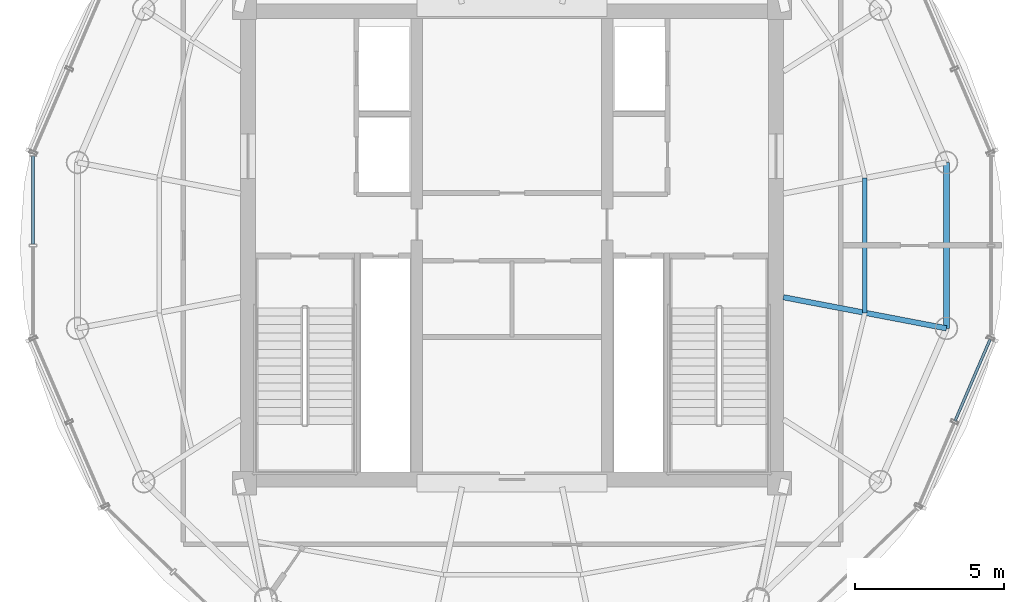
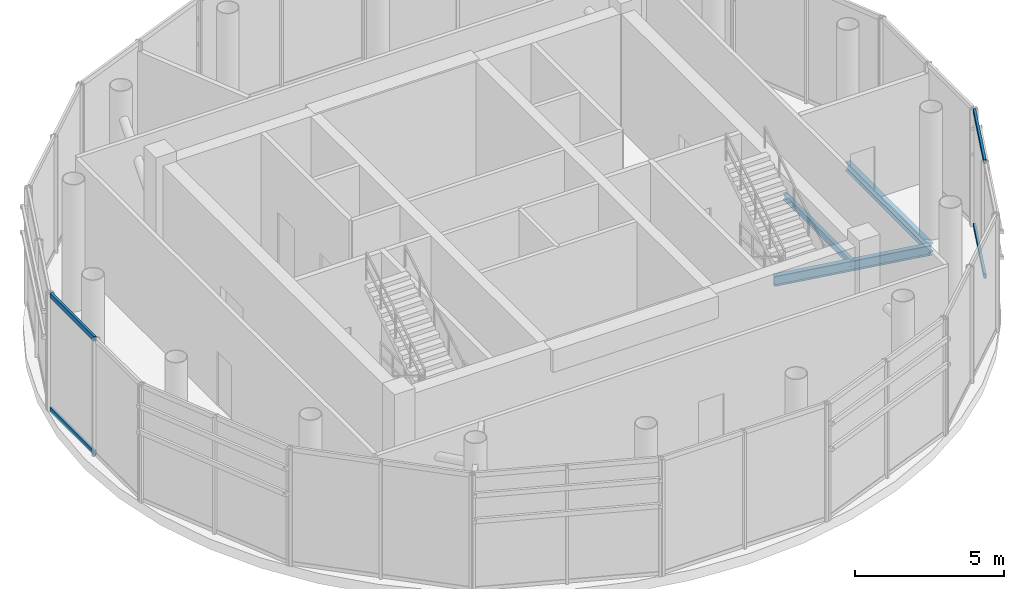
# One storey, part 5 of 14: 4 members, 3 beams, 2 elements without a shape of their own.
"""IFC4 building model written with IfcOpenShell, lengths in metres."""

from ifc_helpers import new_model, si_unit, direction, frame, origin, origin_2d, place, context, subcontext, project, spatial, hollow_rectangle, i_section, extrude, source, transform, mapped, material, material_profile, profile_set, type_object, element, aggregate, save


model = new_model("IFC4")

# Units and contexts
model_context = context("Model", 3, precision=1e-05, world=origin(), true_north=direction((-0.2419218956, 0.970295726276)))
body_context = subcontext(model_context, "Body", "Model", "MODEL_VIEW")
ifc_project = project(units=[si_unit("LENGTHUNIT", "METRE"), si_unit("AREAUNIT", "SQUARE_METRE"), si_unit("VOLUMEUNIT", "CUBIC_METRE"), si_unit("PLANEANGLEUNIT", "RADIAN"), si_unit("MASSUNIT", "GRAM", prefix="KILO")], contexts=[model_context])

# Site, building, storey
site_placement = place(None, origin())
site = spatial("IfcSite", under=ifc_project, at=site_placement, CompositionType="ELEMENT")
building_placement = place(site_placement, origin())
building = spatial("IfcBuilding", under=site, at=building_placement, Name="Cobrevalo Terracotta Tower", CompositionType="ELEMENT")
storey_placement = place(building_placement, frame((0.0, 0.0, 326.89990234375)))
storey = spatial("IfcBuildingStorey", under=building, at=storey_placement, Name="L84", CompositionType="ELEMENT", Elevation=326.89990234375)

# Beams
ifc_material_1 = material(Name="Steel S355", Category="steel")
ifc_material_profile_1 = material_profile(ifc_material_1, i_section(OverallWidth=0.179931640625, OverallDepth=0.4130859375, WebThickness=0.009765625, FlangeThickness=0.01611328125, at=origin_2d()), Name="W 410x75")
ifc_profile_set_1 = profile_set([ifc_material_profile_1], Name="Steel S355")
beam_type_1 = type_object("IfcBeamType", Name="Structural Beam W 410x75 (Steel S355)", PredefinedType="BEAM", material=ifc_profile_set_1)
beam_1_placement = place(storey_placement, frame((52.61376953125, 24.01025390625, -0.62646484375), z_axis=(-0.982261932892, 0.187513986655, 0.0), x_axis=(-0.187513986655, -0.982261932892, 0.0)))
element("IfcBeam", 1, at=beam_1_placement, inside=storey, type_object=beam_type_1, Name="L84 radial floor girder 16", PredefinedType="BEAM", context=body_context, shape_type="SweptSolid", body=[
    extrude(i_section(OverallWidth=0.179931640625, OverallDepth=0.4130859375, WebThickness=0.009765625, FlangeThickness=0.01611328125, at=origin_2d()), origin(), (0.0, 0.0, 1.0), 5.5830078125),
])
ifc_material_profile_2 = material_profile(ifc_material_1, i_section(OverallWidth=0.14794921875, OverallDepth=0.26611328125, WebThickness=0.007568359375, FlangeThickness=0.012939453125, at=origin_2d()), Name="W 250x44.8")
ifc_profile_set_2 = profile_set([ifc_material_profile_2], Name="Steel S355")
beam_type_2 = type_object("IfcBeamType", Name="Structural Joist W 250x44.8 (Steel S355)", PredefinedType="JOIST", material=ifc_profile_set_2)
beam_2_placement = place(storey_placement, frame((49.871826171875, 24.53369140625, -0.552978515625), z_axis=(0.0, 1.0, 0.0), x_axis=(-1.0, 0.0, 0.0)))
element("IfcBeam", 2, at=beam_2_placement, inside=storey, type_object=beam_type_2, Name="L84 circumferential secondary floor joist 16", PredefinedType="JOIST", context=body_context, shape_type="SweptSolid", body=[
    extrude(i_section(OverallWidth=0.14794921875, OverallDepth=0.26611328125, WebThickness=0.007568359375, FlangeThickness=0.012939453125, at=origin_2d()), origin(), (0.0, 0.0, 1.0), 4.53271484375),
])
ifc_material_profile_3 = material_profile(ifc_material_1, i_section(OverallWidth=0.205078125, OverallDepth=0.35400390625, WebThickness=0.009521484375, FlangeThickness=0.016845703125, at=origin_2d()), Name="W 360x79")
ifc_profile_set_3 = profile_set([ifc_material_profile_3], Name="Steel S355")
beam_type_3 = type_object("IfcBeamType", Name="Structural Spandrel W 360x79 (Steel S355)", PredefinedType="SPANDREL", material=ifc_profile_set_3)
beam_3_placement = place(storey_placement, frame((52.61376953125, 24.01025390625, -0.596923828125), z_axis=(0.0, 1.0, 0.0), x_axis=(-1.0, 0.0, 0.0)))
element("IfcBeam", 3, at=beam_3_placement, inside=storey, type_object=beam_type_3, Name="L84 perimeter ring spandrel 16", PredefinedType="SPANDREL", context=body_context, shape_type="SweptSolid", body=[
    extrude(i_section(OverallWidth=0.205078125, OverallDepth=0.35400390625, WebThickness=0.009521484375, FlangeThickness=0.016845703125, at=origin_2d()), origin(), (0.0, 0.0, 1.0), 5.57958984375),
])

# Curtain wall, members
ifc_material_2 = material(Name="Anodized aluminium", Category="aluminium")
curtain_wall_type = type_object("IfcCurtainWallType", Name="Faceted glass-point crown structural glazing system CW-CR", PredefinedType="NOTDEFINED", material=ifc_material_2)
curtain_wall_1_placement = place(storey_placement, origin())
curtain_wall_1 = element("IfcCurtainWall", 4, at=curtain_wall_1_placement, inside=storey, type_object=curtain_wall_type, Name="L84 curtain wall CW-CRN-L84-S15", PredefinedType="NOTDEFINED")
ifc_material_profile_4 = material_profile(ifc_material_2, hollow_rectangle(XDim=0.090087890625, YDim=0.195068359375, WallThickness=0.005615234375, at=origin_2d()), Name="CWT 90x195")
ifc_profile_set_4 = profile_set([ifc_material_profile_4], Name="Anodized aluminium")
member_type = type_object("IfcMemberType", Name="Crown structural aluminium transom 90x195", PredefinedType="USERDEFINED", material=ifc_profile_set_4)
shared_shape_1 = source(origin(), body_context, "Body", "SweptSolid", [
    extrude(hollow_rectangle(XDim=0.090087890625, YDim=0.195068359375, WallThickness=0.005615234375, at=origin_2d()), origin(), (0.0, 0.0, 1.0), 2.985595703125),
])
member_1_placement = place(storey_placement, frame((52.903564453125, 20.895263671875, 0.050048828125), z_axis=(0.39495528775, 0.918700343245, 0.0), x_axis=(-0.918700343245, 0.39495528775, 0.0)))
member_1 = element("IfcMember", 5, at=member_1_placement, type_object=member_type, Name="CW-CRN-L84-S15 transom B02-T1", ObjectType="TRANSOM", PredefinedType="USERDEFINED", context=body_context, shape_type="MappedRepresentation", body=[
    mapped(shared_shape_1, transform((0.0, 0.0, 0.0), scale=1.0)),
])
member_2_placement = place(storey_placement, frame((52.903564453125, 20.895263671875, 4.72998046875), z_axis=(0.39495528775, 0.918700343245, 0.0), x_axis=(-0.918700343245, 0.39495528775, 0.0)))
member_2 = element("IfcMember", 6, at=member_2_placement, type_object=member_type, Name="CW-CRN-L84-S15 transom B02-T2", ObjectType="TRANSOM", PredefinedType="USERDEFINED", context=body_context, shape_type="MappedRepresentation", body=[
    mapped(shared_shape_1, transform((0.0, 0.0, 0.0), scale=1.0)),
])
aggregate(curtain_wall_1, [member_1, member_2])

curtain_wall_2_placement = place(storey_placement, origin())
curtain_wall_2 = element("IfcCurtainWall", 7, at=curtain_wall_2_placement, inside=storey, type_object=curtain_wall_type, Name="L84 curtain wall CW-CRN-L84-S08", PredefinedType="NOTDEFINED")
shared_shape_2 = source(origin(), body_context, "Body", "SweptSolid", [
    extrude(hollow_rectangle(XDim=0.090087890625, YDim=0.195068359375, WallThickness=0.005615234375, at=origin_2d()), origin(), (0.0, 0.0, 1.0), 2.96826171875),
])
member_3_placement = place(storey_placement, frame((21.8857421875, 29.808349609375, 0.050048828125), z_axis=(0.0, -1.0, 0.0), x_axis=(1.0, 0.0, 0.0)))
member_3 = element("IfcMember", 8, at=member_3_placement, type_object=member_type, Name="CW-CRN-L84-S08 transom B01-T1", ObjectType="TRANSOM", PredefinedType="USERDEFINED", context=body_context, shape_type="MappedRepresentation", body=[
    mapped(shared_shape_2, transform((0.0, 0.0, 0.0), scale=1.0)),
])
member_4_placement = place(storey_placement, frame((21.8857421875, 29.808349609375, 4.72998046875), z_axis=(0.0, -1.0, 0.0), x_axis=(1.0, 0.0, 0.0)))
member_4 = element("IfcMember", 9, at=member_4_placement, type_object=member_type, Name="CW-CRN-L84-S08 transom B01-T2", ObjectType="TRANSOM", PredefinedType="USERDEFINED", context=body_context, shape_type="MappedRepresentation", body=[
    mapped(shared_shape_2, transform((0.0, 0.0, 0.0), scale=1.0)),
])
aggregate(curtain_wall_2, [member_3, member_4])

save(model, "model.ifc")
